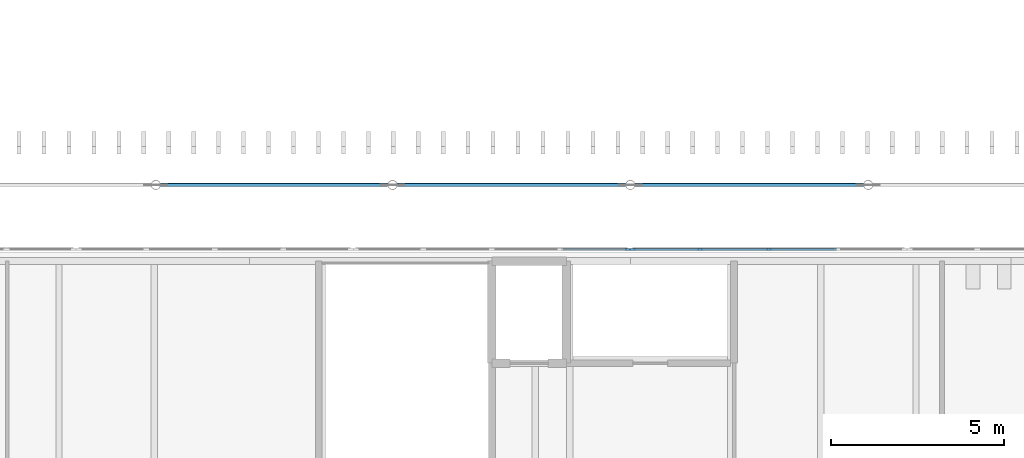
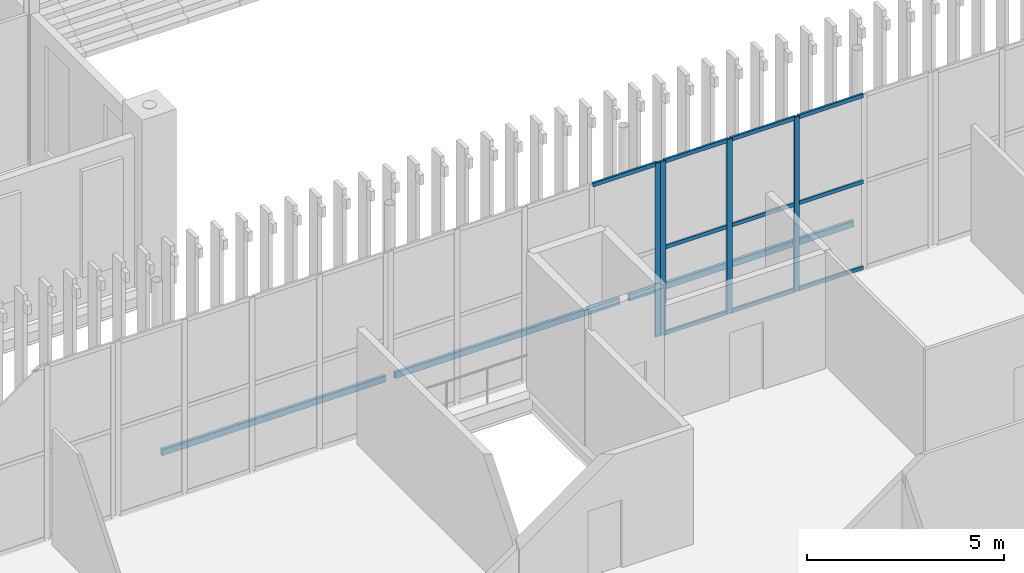
# One storey, part 68 of 170: 17 members, 2 elements without a shape of their own.
"""IFC4 building model written with IfcOpenShell, lengths in metres."""

from ifc_helpers import new_model, si_unit, direction, frame, origin, origin_2d, place, context, subcontext, project, spatial, rectangle, hollow_rectangle, extrude, material, layer, layer_set, material_profile, profile_set, type_object, element, aggregate, save


model = new_model("IFC4")

# Units and contexts
model_context = context("Model", 3, precision=1e-05, world=origin(), true_north=direction((0.0, 1.0)))
body_context = subcontext(model_context, "Body", "Model", "MODEL_VIEW")
ifc_project = project(units=[si_unit("LENGTHUNIT", "METRE"), si_unit("AREAUNIT", "SQUARE_METRE"), si_unit("VOLUMEUNIT", "CUBIC_METRE"), si_unit("PLANEANGLEUNIT", "RADIAN"), si_unit("MASSUNIT", "GRAM", prefix="KILO")], contexts=[model_context])

# Site, building, storey
site_placement = place(None, origin())
site = spatial("IfcSite", under=ifc_project, at=site_placement, CompositionType="ELEMENT")
building_placement = place(site_placement, origin())
building = spatial("IfcBuilding", under=site, at=building_placement, Name="Ravi Spectrum Wholesale Market", CompositionType="ELEMENT")
storey_placement = place(building_placement, frame((0.0, 0.0, 5.39990234375)))
storey = spatial("IfcBuildingStorey", under=building, at=storey_placement, Name="L01", CompositionType="ELEMENT", Elevation=5.39990234375)

# Curtain wall, member
ifc_material_1 = material(Name="Aluminium 6063-T6", Category="aluminium")
ifc_layer = layer(ifc_material_1, 0.14990234375)
ifc_layer_set = layer_set([ifc_layer], Name="Aluminium 6063-T6")
curtain_wall_type = type_object("IfcCurtainWallType", Name="Curtain wall 150", PredefinedType="NOTDEFINED", material=ifc_layer_set)
curtain_wall_1_placement = place(storey_placement, origin())
curtain_wall_1 = element("IfcCurtainWall", 1, at=curtain_wall_1_placement, inside=storey, type_object=curtain_wall_type, Name="H1-CW-L01-057", PredefinedType="NOTDEFINED")
ifc_material_2 = material(Name="Aluminium 6063-T6", Category="aluminium")
ifc_material_profile_1 = material_profile(ifc_material_2, rectangle(XDim=0.06005859375, YDim=0.159912109375, at=origin_2d()))
ifc_profile_set_1 = profile_set([ifc_material_profile_1], Name="Aluminium 6063-T6")
member_type_1 = type_object("IfcMemberType", Name="Mullion 60 x 160", PredefinedType="MULLION", material=ifc_profile_set_1)
member_1_placement = place(storey_placement, frame((69.929931640625, 195.340087890625, 0.0), z_axis=(0.0, 0.0, 1.0), x_axis=(0.0, 1.0, 0.0)))
member_1 = element("IfcMember", 2, at=member_1_placement, type_object=member_type_1, Name="H1-CW-L01-057 mullion 5", PredefinedType="MULLION", context=body_context, shape_type="SweptSolid", body=[
    extrude(rectangle(XDim=0.06005859375, YDim=0.159912109375, at=origin_2d()), origin(), (0.0, 0.0, 1.0), 5.400146484375),
])

# Curtain wall, members
curtain_wall_2_placement = place(storey_placement, origin())
curtain_wall_2 = element("IfcCurtainWall", 3, at=curtain_wall_2_placement, inside=storey, type_object=curtain_wall_type, Name="H1-CW-L01-058", PredefinedType="NOTDEFINED")
member_2_placement = place(storey_placement, frame((70.070068359375, 195.340087890625, 0.0), z_axis=(0.0, 0.0, 1.0), x_axis=(0.0, 1.0, 0.0)))
member_2 = element("IfcMember", 4, at=member_2_placement, type_object=member_type_1, Name="H1-CW-L01-058 mullion 1", PredefinedType="MULLION", context=body_context, shape_type="SweptSolid", body=[
    extrude(rectangle(XDim=0.06005859375, YDim=0.159912109375, at=origin_2d()), origin(), (0.0, 0.0, 1.0), 5.400146484375),
])
member_3_placement = place(storey_placement, frame((72.02001953125, 195.340087890625, 0.0), z_axis=(0.0, 0.0, 1.0), x_axis=(0.0, 1.0, 0.0)))
member_3 = element("IfcMember", 5, at=member_3_placement, type_object=member_type_1, Name="H1-CW-L01-058 mullion 2", PredefinedType="MULLION", context=body_context, shape_type="SweptSolid", body=[
    extrude(rectangle(XDim=0.06005859375, YDim=0.159912109375, at=origin_2d()), origin(), (0.0, 0.0, 1.0), 5.400146484375),
])
member_4_placement = place(storey_placement, frame((74.0, 195.340087890625, 0.0), z_axis=(0.0, 0.0, 1.0), x_axis=(0.0, 1.0, 0.0)))
member_4 = element("IfcMember", 6, at=member_4_placement, type_object=member_type_1, Name="H1-CW-L01-058 mullion 3", PredefinedType="MULLION", context=body_context, shape_type="SweptSolid", body=[
    extrude(rectangle(XDim=0.06005859375, YDim=0.159912109375, at=origin_2d()), origin(), (0.0, 0.0, 1.0), 5.400146484375),
])

# Members
ifc_material_3 = material(Name="Steel S355", Category="steel")
ifc_material_profile_2 = material_profile(ifc_material_3, hollow_rectangle(XDim=0.10009765625, YDim=0.199951171875, WallThickness=0.00634765625, InnerFilletRadius=0.00634765625, OuterFilletRadius=0.0126953125, at=origin_2d()))
ifc_profile_set_2 = profile_set([ifc_material_profile_2], Name="Steel S355")
member_type_2 = type_object("IfcMemberType", Name="RHS 200x100x6.3 strut", PredefinedType="STRUT", material=ifc_profile_set_2)
member_5_placement = place(storey_placement, frame((56.43017578125, 197.199951171875, 0.0), z_axis=(1.0, 0.0, 0.0), x_axis=(0.0, 1.0, 0.0)))
element("IfcMember", 7, at=member_5_placement, inside=storey, type_object=member_type_2, Name="H1-MB-L01-028", PredefinedType="STRUT", context=body_context, shape_type="SweptSolid", body=[
    extrude(hollow_rectangle(XDim=0.10009765625, YDim=0.199951171875, WallThickness=0.00634765625, InnerFilletRadius=0.00634765625, OuterFilletRadius=0.0126953125, at=origin_2d()), origin(), (0.0, 0.0, 1.0), 6.563720703125),
])
for number, where, z_axis, x_axis, name in (
    (8, (63.266845703125, 197.199951171875, 0.0), (1.0, 0.0, 0.0), (0.0, 1.0, 0.0), "H1-MB-L01-029"),
    (9, (70.136474609375, 197.199951171875, 0.0), (1.0, 0.0, 0.0), (0.0, 1.0, 0.0), "H1-MB-L01-030"),
):
    element("IfcMember", number, at=place(storey_placement, frame(where, z_axis=z_axis, x_axis=x_axis)), inside=storey, type_object=member_type_2, Name=name, PredefinedType="STRUT", context=body_context, shape_type="SweptSolid", body=[
        extrude(hollow_rectangle(XDim=0.10009765625, YDim=0.199951171875, WallThickness=0.00634765625, InnerFilletRadius=0.00634765625, OuterFilletRadius=0.0126953125, at=origin_2d()), origin(), (0.0, 0.0, 1.0), 6.5966796875),
    ])

# Member
ifc_material_4 = material(Name="Aluminium 6063-T6", Category="aluminium")
ifc_material_profile_3 = material_profile(ifc_material_4, rectangle(XDim=0.06005859375, YDim=0.1201171875, at=origin_2d()))
ifc_profile_set_3 = profile_set([ifc_material_profile_3], Name="Aluminium 6063-T6")
member_type_3 = type_object("IfcMemberType", Name="Transom 60 x 120", PredefinedType="USERDEFINED", material=ifc_profile_set_3)
member_6_placement = place(storey_placement, frame((68.010009765625, 195.340087890625, 5.3701171875), z_axis=(1.0, 0.0, 0.0), x_axis=(0.0, 1.0, 0.0)))
member_6 = element("IfcMember", 10, at=member_6_placement, type_object=member_type_3, Name="H1-CW-L01-057 transom 4.3", ObjectType="TRANSOM", PredefinedType="USERDEFINED", context=body_context, shape_type="SweptSolid", body=[
    extrude(rectangle(XDim=0.06005859375, YDim=0.1201171875, at=origin_2d()), origin(), (0.0, 0.0, 1.0), 1.889892578125),
])

aggregate(curtain_wall_1, [member_1, member_6])

member_7_placement = place(storey_placement, frame((70.10009765625, 195.340087890625, 0.030029296875), z_axis=(1.0, 0.0, 0.0), x_axis=(0.0, 1.0, 0.0)))
member_7 = element("IfcMember", 11, at=member_7_placement, type_object=member_type_3, Name="H1-CW-L01-058 transom 1.1", ObjectType="TRANSOM", PredefinedType="USERDEFINED", context=body_context, shape_type="SweptSolid", body=[
    extrude(rectangle(XDim=0.06005859375, YDim=0.1201171875, at=origin_2d()), origin(), (0.0, 0.0, 1.0), 1.889892578125),
])

member_8_placement = place(storey_placement, frame((70.10009765625, 195.340087890625, 2.7001953125), z_axis=(1.0, 0.0, 0.0), x_axis=(0.0, 1.0, 0.0)))
member_8 = element("IfcMember", 12, at=member_8_placement, type_object=member_type_3, Name="H1-CW-L01-058 transom 1.2", ObjectType="TRANSOM", PredefinedType="USERDEFINED", context=body_context, shape_type="SweptSolid", body=[
    extrude(rectangle(XDim=0.06005859375, YDim=0.1201171875, at=origin_2d()), origin(), (0.0, 0.0, 1.0), 1.889892578125),
])

member_9_placement = place(storey_placement, frame((70.10009765625, 195.340087890625, 5.3701171875), z_axis=(1.0, 0.0, 0.0), x_axis=(0.0, 1.0, 0.0)))
member_9 = element("IfcMember", 13, at=member_9_placement, type_object=member_type_3, Name="H1-CW-L01-058 transom 1.3", ObjectType="TRANSOM", PredefinedType="USERDEFINED", context=body_context, shape_type="SweptSolid", body=[
    extrude(rectangle(XDim=0.06005859375, YDim=0.1201171875, at=origin_2d()), origin(), (0.0, 0.0, 1.0), 1.889892578125),
])

member_10_placement = place(storey_placement, frame((72.050048828125, 195.340087890625, 0.030029296875), z_axis=(1.0, 0.0, 0.0), x_axis=(0.0, 1.0, 0.0)))
member_10 = element("IfcMember", 14, at=member_10_placement, type_object=member_type_3, Name="H1-CW-L01-058 transom 2.1", ObjectType="TRANSOM", PredefinedType="USERDEFINED", context=body_context, shape_type="SweptSolid", body=[
    extrude(rectangle(XDim=0.06005859375, YDim=0.1201171875, at=origin_2d()), origin(), (0.0, 0.0, 1.0), 1.919921875),
])

member_11_placement = place(storey_placement, frame((72.050048828125, 195.340087890625, 2.7001953125), z_axis=(1.0, 0.0, 0.0), x_axis=(0.0, 1.0, 0.0)))
member_11 = element("IfcMember", 15, at=member_11_placement, type_object=member_type_3, Name="H1-CW-L01-058 transom 2.2", ObjectType="TRANSOM", PredefinedType="USERDEFINED", context=body_context, shape_type="SweptSolid", body=[
    extrude(rectangle(XDim=0.06005859375, YDim=0.1201171875, at=origin_2d()), origin(), (0.0, 0.0, 1.0), 1.919921875),
])

member_12_placement = place(storey_placement, frame((72.050048828125, 195.340087890625, 5.3701171875), z_axis=(1.0, 0.0, 0.0), x_axis=(0.0, 1.0, 0.0)))
member_12 = element("IfcMember", 16, at=member_12_placement, type_object=member_type_3, Name="H1-CW-L01-058 transom 2.3", ObjectType="TRANSOM", PredefinedType="USERDEFINED", context=body_context, shape_type="SweptSolid", body=[
    extrude(rectangle(XDim=0.06005859375, YDim=0.1201171875, at=origin_2d()), origin(), (0.0, 0.0, 1.0), 1.919921875),
])

member_13_placement = place(storey_placement, frame((74.030029296875, 195.340087890625, 0.030029296875), z_axis=(1.0, 0.0, 0.0), x_axis=(0.0, 1.0, 0.0)))
member_13 = element("IfcMember", 17, at=member_13_placement, type_object=member_type_3, Name="H1-CW-L01-058 transom 3.1", ObjectType="TRANSOM", PredefinedType="USERDEFINED", context=body_context, shape_type="SweptSolid", body=[
    extrude(rectangle(XDim=0.06005859375, YDim=0.1201171875, at=origin_2d()), origin(), (0.0, 0.0, 1.0), 1.919921875),
])

member_14_placement = place(storey_placement, frame((74.030029296875, 195.340087890625, 2.7001953125), z_axis=(1.0, 0.0, 0.0), x_axis=(0.0, 1.0, 0.0)))
member_14 = element("IfcMember", 18, at=member_14_placement, type_object=member_type_3, Name="H1-CW-L01-058 transom 3.2", ObjectType="TRANSOM", PredefinedType="USERDEFINED", context=body_context, shape_type="SweptSolid", body=[
    extrude(rectangle(XDim=0.06005859375, YDim=0.1201171875, at=origin_2d()), origin(), (0.0, 0.0, 1.0), 1.919921875),
])

member_15_placement = place(storey_placement, frame((74.030029296875, 195.340087890625, 5.3701171875), z_axis=(1.0, 0.0, 0.0), x_axis=(0.0, 1.0, 0.0)))
member_15 = element("IfcMember", 19, at=member_15_placement, type_object=member_type_3, Name="H1-CW-L01-058 transom 3.3", ObjectType="TRANSOM", PredefinedType="USERDEFINED", context=body_context, shape_type="SweptSolid", body=[
    extrude(rectangle(XDim=0.06005859375, YDim=0.1201171875, at=origin_2d()), origin(), (0.0, 0.0, 1.0), 1.919921875),
])

aggregate(curtain_wall_2, [member_2, member_3, member_4, member_7, member_8, member_9, member_10, member_11, member_12, member_13, member_14, member_15])

save(model, "model.ifc")
